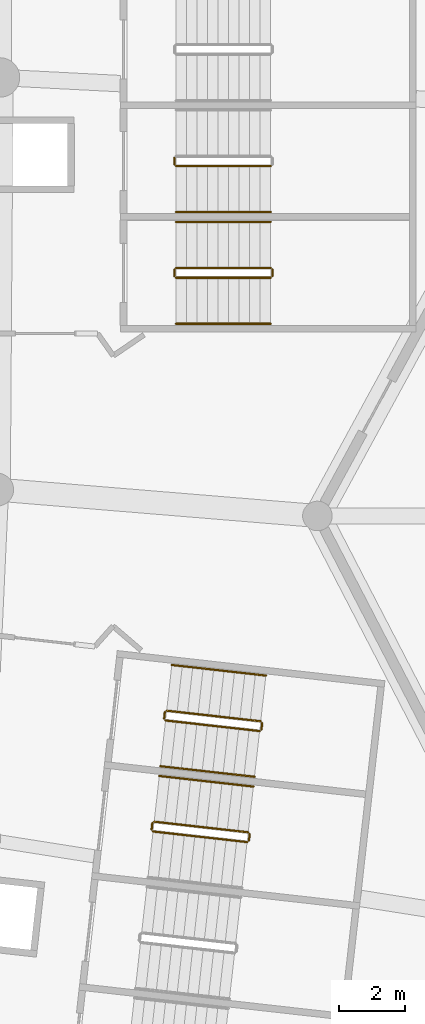
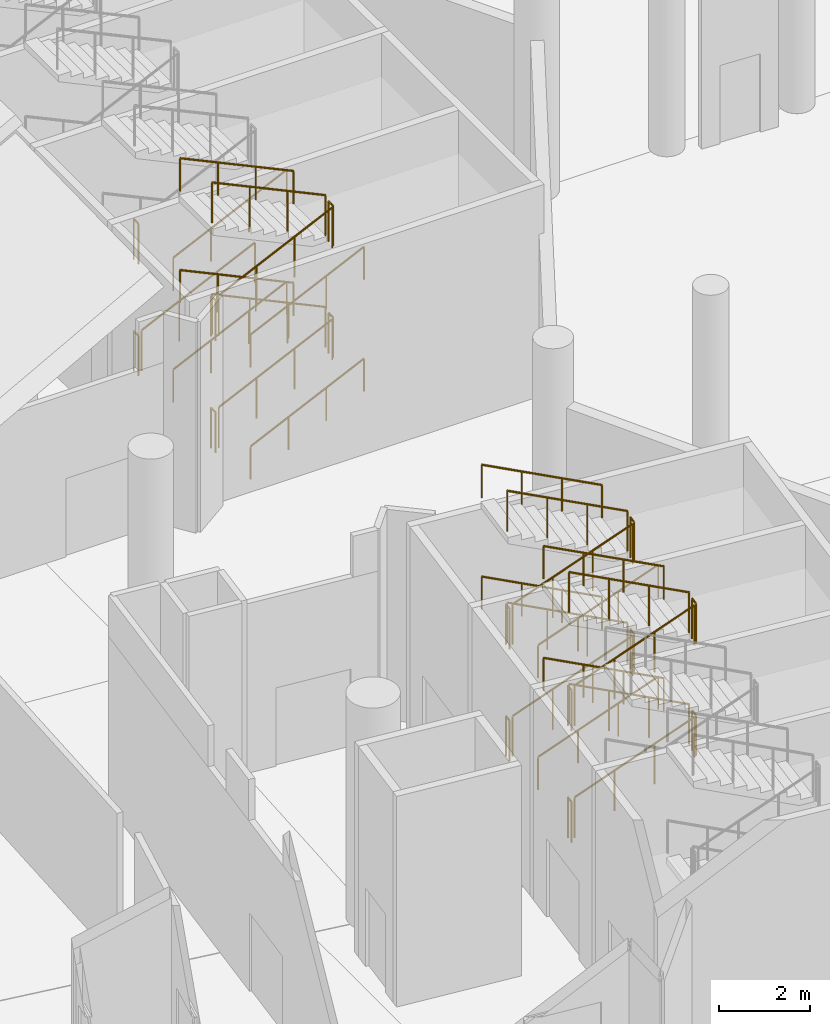
# One storey, part 225 of 249: 39 railings.
"""IFC4 building model written with IfcOpenShell, lengths in metres."""

from ifc_helpers import new_model, si_unit, direction, frame, origin, origin_2d, place, context, subcontext, project, spatial, circle, extrude, material, type_object, element, save


model = new_model("IFC4")

# Units and contexts
model_context = context("Model", 3, precision=1e-05, world=origin(), true_north=direction((0.0, 1.0)))
body_context = subcontext(model_context, "Body", "Model", "MODEL_VIEW")
ifc_project = project(units=[si_unit("LENGTHUNIT", "METRE"), si_unit("AREAUNIT", "SQUARE_METRE"), si_unit("VOLUMEUNIT", "CUBIC_METRE"), si_unit("PLANEANGLEUNIT", "RADIAN"), si_unit("MASSUNIT", "GRAM", prefix="KILO")], contexts=[model_context])

# Site, building, storey
site_placement = place(None, origin())
site = spatial("IfcSite", under=ifc_project, at=site_placement, CompositionType="ELEMENT")
building_placement = place(site_placement, origin())
building = spatial("IfcBuilding", under=site, at=building_placement, Name="Meseta Stadium", CompositionType="ELEMENT")
storey_placement = place(building_placement, frame((0.0, 0.0, 12.0)))
storey = spatial("IfcBuildingStorey", under=building, at=storey_placement, Name="L02", CompositionType="ELEMENT", Elevation=12.0)

# Railings
ifc_material_1 = material(Name="Steel S355", Category="steel")
railing_type_1 = type_object("IfcRailingType", Name="Stair guard 1100", PredefinedType="GUARDRAIL", material=ifc_material_1)
railing_1_placement = place(storey_placement, frame((89.598876953125, -53.3525390625, 0.14990234375)))
element("IfcRailing", 1, at=railing_1_placement, inside=storey, type_object=railing_type_1, Name="ST3 L02 guard 1", PredefinedType="GUARDRAIL", context=body_context, shape_type="SweptSolid", body=[
    extrude(circle(Radius=0.02392578125, at=origin_2d()), frame((0.0, 0.0, 1.076171875), z_axis=(0.899747905232, -0.10139626197, 0.424467319223), x_axis=(0.111985219376, 0.993709872468, 0.0)), (0.0, 0.0, 1.0), 3.1806640625),
    extrude(circle(Radius=0.02099609375, at=origin_2d()), origin(), (0.0, 0.0, 1.0), 1.052001953125),
    extrude(circle(Radius=0.02099609375, at=origin_2d()), frame((0.953857421875, -0.107421875, 0.449951171875)), (0.0, 0.0, 1.0), 1.052001953125),
    extrude(circle(Radius=0.02099609375, at=origin_2d()), frame((1.907958984375, -0.215087890625, 0.900146484375)), (0.0, 0.0, 1.0), 1.052001953125),
    extrude(circle(Radius=0.02099609375, at=origin_2d()), frame((2.86181640625, -0.322509765625, 1.35009765625)), (0.0, 0.0, 1.0), 1.052001953125),
])
railing_2_placement = place(storey_placement, frame((92.515869140625, -53.630859375, 1.5)))
element("IfcRailing", 2, at=railing_2_placement, inside=storey, type_object=railing_type_1, Name="ST3 L02 guard 2", PredefinedType="GUARDRAIL", context=body_context, shape_type="SweptSolid", body=[
    extrude(circle(Radius=0.02392578125, at=origin_2d()), frame((0.0, 0.0, 1.076171875), z_axis=(0.112307083986, 0.993673547442, 0.0), x_axis=(-0.993673547442, 0.112307083986, 0.0)), (0.0, 0.0, 1.0), 0.199951171875),
    extrude(circle(Radius=0.02099609375, at=origin_2d()), origin(), (0.0, 0.0, 1.0), 1.052001953125),
    extrude(circle(Radius=0.02099609375, at=origin_2d()), frame((0.0224609375, 0.19873046875, 0.0)), (0.0, 0.0, 1.0), 1.052001953125),
])
railing_3_placement = place(storey_placement, frame((92.494140625, -53.376953125, 1.64990234375)))
element("IfcRailing", 3, at=railing_3_placement, inside=storey, type_object=railing_type_1, Name="ST3 L02 guard 3", PredefinedType="GUARDRAIL", context=body_context, shape_type="SweptSolid", body=[
    extrude(circle(Radius=0.02392578125, at=origin_2d()), frame((0.0, 0.0, 1.076171875), z_axis=(-0.899747905232, 0.10139626197, 0.424467319223), x_axis=(-0.111985219376, -0.993709872468, 0.0)), (0.0, 0.0, 1.0), 3.1806640625),
    extrude(circle(Radius=0.02099609375, at=origin_2d()), origin(), (0.0, 0.0, 1.0), 1.052001953125),
    extrude(circle(Radius=0.02099609375, at=origin_2d()), frame((-0.953857421875, 0.107421875, 0.449951171875)), (0.0, 0.0, 1.0), 1.052001953125),
    extrude(circle(Radius=0.02099609375, at=origin_2d()), frame((-1.907958984375, 0.215087890625, 0.900146484375)), (0.0, 0.0, 1.0), 1.052001953125),
    extrude(circle(Radius=0.02099609375, at=origin_2d()), frame((-2.86181640625, 0.322509765625, 1.35009765625)), (0.0, 0.0, 1.0), 1.052001953125),
])
railing_4_placement = place(storey_placement, frame((89.5546875, -53.29736328125, 3.0)))
element("IfcRailing", 4, at=railing_4_placement, inside=storey, type_object=railing_type_1, Name="ST3 L02 guard 4", PredefinedType="GUARDRAIL", context=body_context, shape_type="SweptSolid", body=[
    extrude(circle(Radius=0.02392578125, at=origin_2d()), frame((0.0, 0.0, 1.076171875), z_axis=(0.112307083986, 0.993673547442, 0.0), x_axis=(-0.993673547442, 0.112307083986, 0.0)), (0.0, 0.0, 1.0), 0.199951171875),
    extrude(circle(Radius=0.02099609375, at=origin_2d()), origin(), (0.0, 0.0, 1.0), 1.052001953125),
    extrude(circle(Radius=0.02099609375, at=origin_2d()), frame((0.0224609375, 0.19873046875, 0.0)), (0.0, 0.0, 1.0), 1.052001953125),
])
railing_5_placement = place(storey_placement, frame((89.598876953125, -53.3525390625, 3.14990234375)))
element("IfcRailing", 5, at=railing_5_placement, inside=storey, type_object=railing_type_1, Name="ST3 L02 guard 5", PredefinedType="GUARDRAIL", context=body_context, shape_type="SweptSolid", body=[
    extrude(circle(Radius=0.02392578125, at=origin_2d()), frame((0.0, 0.0, 1.076171875), z_axis=(0.899747905232, -0.10139626197, 0.424467319223), x_axis=(0.111985219376, 0.993709872468, 0.0)), (0.0, 0.0, 1.0), 3.1806640625),
    extrude(circle(Radius=0.02099609375, at=origin_2d()), origin(), (0.0, 0.0, 1.0), 1.052001953125),
    extrude(circle(Radius=0.02099609375, at=origin_2d()), frame((0.953857421875, -0.107421875, 0.449951171875)), (0.0, 0.0, 1.0), 1.052001953125),
    extrude(circle(Radius=0.02099609375, at=origin_2d()), frame((1.907958984375, -0.215087890625, 0.900146484375)), (0.0, 0.0, 1.0), 1.052001953125),
    extrude(circle(Radius=0.02099609375, at=origin_2d()), frame((2.86181640625, -0.322509765625, 1.35009765625)), (0.0, 0.0, 1.0), 1.052001953125),
])
railing_6_placement = place(storey_placement, frame((92.515869140625, -53.630859375, 4.5)))
element("IfcRailing", 6, at=railing_6_placement, inside=storey, type_object=railing_type_1, Name="ST3 L02 guard 6", PredefinedType="GUARDRAIL", context=body_context, shape_type="SweptSolid", body=[
    extrude(circle(Radius=0.02392578125, at=origin_2d()), frame((0.0, 0.0, 1.076171875), z_axis=(0.112307083986, 0.993673547442, 0.0), x_axis=(-0.993673547442, 0.112307083986, 0.0)), (0.0, 0.0, 1.0), 0.199951171875),
    extrude(circle(Radius=0.02099609375, at=origin_2d()), origin(), (0.0, 0.0, 1.0), 1.052001953125),
    extrude(circle(Radius=0.02099609375, at=origin_2d()), frame((0.0224609375, 0.19873046875, 0.0)), (0.0, 0.0, 1.0), 1.052001953125),
])
railing_7_placement = place(storey_placement, frame((92.494140625, -53.376953125, 4.64990234375)))
element("IfcRailing", 7, at=railing_7_placement, inside=storey, type_object=railing_type_1, Name="ST3 L02 guard 7", PredefinedType="GUARDRAIL", context=body_context, shape_type="SweptSolid", body=[
    extrude(circle(Radius=0.02392578125, at=origin_2d()), frame((0.0, 0.0, 1.076171875), z_axis=(-0.899747905232, 0.10139626197, 0.424467319223), x_axis=(-0.111985219376, -0.993709872468, 0.0)), (0.0, 0.0, 1.0), 3.1806640625),
    extrude(circle(Radius=0.02099609375, at=origin_2d()), origin(), (0.0, 0.0, 1.0), 1.052001953125),
    extrude(circle(Radius=0.02099609375, at=origin_2d()), frame((-0.953857421875, 0.107421875, 0.449951171875)), (0.0, 0.0, 1.0), 1.052001953125),
    extrude(circle(Radius=0.02099609375, at=origin_2d()), frame((-1.907958984375, 0.215087890625, 0.900146484375)), (0.0, 0.0, 1.0), 1.052001953125),
    extrude(circle(Radius=0.02099609375, at=origin_2d()), frame((-2.86181640625, 0.322509765625, 1.35009765625)), (0.0, 0.0, 1.0), 1.052001953125),
])
railing_8_placement = place(storey_placement, frame((89.5546875, -53.29736328125, 0.0)))
element("IfcRailing", 8, at=railing_8_placement, inside=storey, type_object=railing_type_1, Name="ST3 L02 guard 8", PredefinedType="GUARDRAIL", context=body_context, shape_type="SweptSolid", body=[
    extrude(circle(Radius=0.02392578125, at=origin_2d()), frame((0.0, 0.0, 1.076171875), z_axis=(0.112307083986, 0.993673547442, 0.0), x_axis=(-0.993673547442, 0.112307083986, 0.0)), (0.0, 0.0, 1.0), 0.199951171875),
    extrude(circle(Radius=0.02099609375, at=origin_2d()), origin(), (0.0, 0.0, 1.0), 1.052001953125),
    extrude(circle(Radius=0.02099609375, at=origin_2d()), frame((0.0224609375, 0.19873046875, 0.0)), (0.0, 0.0, 1.0), 1.052001953125),
])
railing_9_placement = place(storey_placement, frame((89.9794921875, -49.973876953125, 0.14990234375)))
element("IfcRailing", 9, at=railing_9_placement, inside=storey, type_object=railing_type_1, Name="ST4 L02 guard 1", PredefinedType="GUARDRAIL", context=body_context, shape_type="SweptSolid", body=[
    extrude(circle(Radius=0.02392578125, at=origin_2d()), frame((0.0, 0.0, 1.076171875), z_axis=(0.899747905232, -0.10139626197, 0.424467319223), x_axis=(0.111985219376, 0.993709872468, 0.0)), (0.0, 0.0, 1.0), 3.1806640625),
    extrude(circle(Radius=0.02099609375, at=origin_2d()), origin(), (0.0, 0.0, 1.0), 1.052001953125),
    extrude(circle(Radius=0.02099609375, at=origin_2d()), frame((0.953857421875, -0.107421875, 0.449951171875)), (0.0, 0.0, 1.0), 1.052001953125),
    extrude(circle(Radius=0.02099609375, at=origin_2d()), frame((1.907958984375, -0.215087890625, 0.900146484375)), (0.0, 0.0, 1.0), 1.052001953125),
    extrude(circle(Radius=0.02099609375, at=origin_2d()), frame((2.86181640625, -0.322509765625, 1.35009765625)), (0.0, 0.0, 1.0), 1.052001953125),
])
railing_10_placement = place(storey_placement, frame((92.896728515625, -50.25244140625, 1.5)))
element("IfcRailing", 10, at=railing_10_placement, inside=storey, type_object=railing_type_1, Name="ST4 L02 guard 2", PredefinedType="GUARDRAIL", context=body_context, shape_type="SweptSolid", body=[
    extrude(circle(Radius=0.02392578125, at=origin_2d()), frame((0.0, 0.0, 1.076171875), z_axis=(0.111101504696, 0.993809063983, 0.0), x_axis=(-0.993809063983, 0.111101504696, 0.0)), (0.0, 0.0, 1.0), 0.199951171875),
    extrude(circle(Radius=0.02099609375, at=origin_2d()), origin(), (0.0, 0.0, 1.0), 1.052001953125),
    extrude(circle(Radius=0.02099609375, at=origin_2d()), frame((0.022216796875, 0.19873046875, 0.0)), (0.0, 0.0, 1.0), 1.052001953125),
])
railing_11_placement = place(storey_placement, frame((92.875, -49.998291015625, 1.64990234375)))
element("IfcRailing", 11, at=railing_11_placement, inside=storey, type_object=railing_type_1, Name="ST4 L02 guard 3", PredefinedType="GUARDRAIL", context=body_context, shape_type="SweptSolid", body=[
    extrude(circle(Radius=0.02392578125, at=origin_2d()), frame((0.0, 0.0, 1.076171875), z_axis=(-0.899762522411, 0.101389259755, 0.424438006392), x_axis=(-0.11197578655, -0.993710935447, 0.0)), (0.0, 0.0, 1.0), 3.180908203125),
    extrude(circle(Radius=0.02099609375, at=origin_2d()), origin(), (0.0, 0.0, 1.0), 1.052001953125),
    extrude(circle(Radius=0.02099609375, at=origin_2d()), frame((-0.9541015625, 0.107421875, 0.449951171875)), (0.0, 0.0, 1.0), 1.052001953125),
    extrude(circle(Radius=0.02099609375, at=origin_2d()), frame((-1.907958984375, 0.215087890625, 0.900146484375)), (0.0, 0.0, 1.0), 1.052001953125),
    extrude(circle(Radius=0.02099609375, at=origin_2d()), frame((-2.862060546875, 0.322509765625, 1.35009765625)), (0.0, 0.0, 1.0), 1.052001953125),
])
railing_12_placement = place(storey_placement, frame((89.935302734375, -49.918701171875, 3.0)))
element("IfcRailing", 12, at=railing_12_placement, inside=storey, type_object=railing_type_1, Name="ST4 L02 guard 4", PredefinedType="GUARDRAIL", context=body_context, shape_type="SweptSolid", body=[
    extrude(circle(Radius=0.02392578125, at=origin_2d()), frame((0.0, 0.0, 1.076171875), z_axis=(0.112307083986, 0.993673547442, 0.0), x_axis=(-0.993673547442, 0.112307083986, 0.0)), (0.0, 0.0, 1.0), 0.199951171875),
    extrude(circle(Radius=0.02099609375, at=origin_2d()), origin(), (0.0, 0.0, 1.0), 1.052001953125),
    extrude(circle(Radius=0.02099609375, at=origin_2d()), frame((0.0224609375, 0.19873046875, 0.0)), (0.0, 0.0, 1.0), 1.052001953125),
])
railing_13_placement = place(storey_placement, frame((89.9794921875, -49.973876953125, 3.14990234375)))
element("IfcRailing", 13, at=railing_13_placement, inside=storey, type_object=railing_type_1, Name="ST4 L02 guard 5", PredefinedType="GUARDRAIL", context=body_context, shape_type="SweptSolid", body=[
    extrude(circle(Radius=0.02392578125, at=origin_2d()), frame((0.0, 0.0, 1.076171875), z_axis=(0.899747905232, -0.10139626197, 0.424467319223), x_axis=(0.111985219376, 0.993709872468, 0.0)), (0.0, 0.0, 1.0), 3.1806640625),
    extrude(circle(Radius=0.02099609375, at=origin_2d()), origin(), (0.0, 0.0, 1.0), 1.052001953125),
    extrude(circle(Radius=0.02099609375, at=origin_2d()), frame((0.953857421875, -0.107421875, 0.449951171875)), (0.0, 0.0, 1.0), 1.052001953125),
    extrude(circle(Radius=0.02099609375, at=origin_2d()), frame((1.907958984375, -0.215087890625, 0.900146484375)), (0.0, 0.0, 1.0), 1.052001953125),
    extrude(circle(Radius=0.02099609375, at=origin_2d()), frame((2.86181640625, -0.322509765625, 1.35009765625)), (0.0, 0.0, 1.0), 1.052001953125),
])
railing_14_placement = place(storey_placement, frame((92.896728515625, -50.25244140625, 4.5)))
element("IfcRailing", 14, at=railing_14_placement, inside=storey, type_object=railing_type_1, Name="ST4 L02 guard 6", PredefinedType="GUARDRAIL", context=body_context, shape_type="SweptSolid", body=[
    extrude(circle(Radius=0.02392578125, at=origin_2d()), frame((0.0, 0.0, 1.076171875), z_axis=(0.111101504696, 0.993809063983, 0.0), x_axis=(-0.993809063983, 0.111101504696, 0.0)), (0.0, 0.0, 1.0), 0.199951171875),
    extrude(circle(Radius=0.02099609375, at=origin_2d()), origin(), (0.0, 0.0, 1.0), 1.052001953125),
    extrude(circle(Radius=0.02099609375, at=origin_2d()), frame((0.022216796875, 0.19873046875, 0.0)), (0.0, 0.0, 1.0), 1.052001953125),
])
railing_15_placement = place(storey_placement, frame((92.875, -49.998291015625, 4.64990234375)))
element("IfcRailing", 15, at=railing_15_placement, inside=storey, type_object=railing_type_1, Name="ST4 L02 guard 7", PredefinedType="GUARDRAIL", context=body_context, shape_type="SweptSolid", body=[
    extrude(circle(Radius=0.02392578125, at=origin_2d()), frame((0.0, 0.0, 1.076171875), z_axis=(-0.899762522411, 0.101389259755, 0.424438006392), x_axis=(-0.11197578655, -0.993710935447, 0.0)), (0.0, 0.0, 1.0), 3.180908203125),
    extrude(circle(Radius=0.02099609375, at=origin_2d()), origin(), (0.0, 0.0, 1.0), 1.052001953125),
    extrude(circle(Radius=0.02099609375, at=origin_2d()), frame((-0.9541015625, 0.107421875, 0.449951171875)), (0.0, 0.0, 1.0), 1.052001953125),
    extrude(circle(Radius=0.02099609375, at=origin_2d()), frame((-1.907958984375, 0.215087890625, 0.900146484375)), (0.0, 0.0, 1.0), 1.052001953125),
    extrude(circle(Radius=0.02099609375, at=origin_2d()), frame((-2.862060546875, 0.322509765625, 1.35009765625)), (0.0, 0.0, 1.0), 1.052001953125),
])
railing_16_placement = place(storey_placement, frame((89.935302734375, -49.918701171875, 0.0)))
element("IfcRailing", 16, at=railing_16_placement, inside=storey, type_object=railing_type_1, Name="ST4 L02 guard 8", PredefinedType="GUARDRAIL", context=body_context, shape_type="SweptSolid", body=[
    extrude(circle(Radius=0.02392578125, at=origin_2d()), frame((0.0, 0.0, 1.076171875), z_axis=(0.112307083986, 0.993673547442, 0.0), x_axis=(-0.993673547442, 0.112307083986, 0.0)), (0.0, 0.0, 1.0), 0.199951171875),
    extrude(circle(Radius=0.02099609375, at=origin_2d()), origin(), (0.0, 0.0, 1.0), 1.052001953125),
    extrude(circle(Radius=0.02099609375, at=origin_2d()), frame((0.0224609375, 0.19873046875, 0.0)), (0.0, 0.0, 1.0), 1.052001953125),
])
railing_17_placement = place(storey_placement, frame((90.300048828125, -36.5, 0.14990234375)))
element("IfcRailing", 17, at=railing_17_placement, inside=storey, type_object=railing_type_1, Name="ST5 L02 guard 1", PredefinedType="GUARDRAIL", context=body_context, shape_type="SweptSolid", body=[
    extrude(circle(Radius=0.02392578125, at=origin_2d()), frame((0.0, 0.0, 1.076171875), z_axis=(0.905440498372, 0.0, 0.424473207528), x_axis=(0.0, 1.0, 0.0)), (0.0, 0.0, 1.0), 3.1806640625),
    extrude(circle(Radius=0.02099609375, at=origin_2d()), origin(), (0.0, 0.0, 1.0), 1.052001953125),
    extrude(circle(Radius=0.02099609375, at=origin_2d()), frame((0.9599609375, 0.0, 0.449951171875)), (0.0, 0.0, 1.0), 1.052001953125),
    extrude(circle(Radius=0.02099609375, at=origin_2d()), frame((1.919921875, 0.0, 0.900146484375)), (0.0, 0.0, 1.0), 1.052001953125),
    extrude(circle(Radius=0.02099609375, at=origin_2d()), frame((2.8798828125, 0.0, 1.35009765625)), (0.0, 0.0, 1.0), 1.052001953125),
])
railing_18_placement = place(storey_placement, frame((93.22998046875, -36.449951171875, 1.5)))
element("IfcRailing", 18, at=railing_18_placement, inside=storey, type_object=railing_type_1, Name="ST5 L02 guard 2", PredefinedType="GUARDRAIL", context=body_context, shape_type="SweptSolid", body=[
    extrude(circle(Radius=0.02392578125, at=origin_2d()), frame((0.0, 0.0, 1.076171875), z_axis=(0.0, 1.0, 0.0), x_axis=(-1.0, 0.0, 0.0)), (0.0, 0.0, 1.0), 0.199951171875),
    extrude(circle(Radius=0.02099609375, at=origin_2d()), origin(), (0.0, 0.0, 1.0), 1.052001953125),
    extrude(circle(Radius=0.02099609375, at=origin_2d()), frame((0.0, 0.199951171875, 0.0)), (0.0, 0.0, 1.0), 1.052001953125),
])
railing_19_placement = place(storey_placement, frame((93.179931640625, -36.199951171875, 1.64990234375)))
element("IfcRailing", 19, at=railing_19_placement, inside=storey, type_object=railing_type_1, Name="ST5 L02 guard 3", PredefinedType="GUARDRAIL", context=body_context, shape_type="SweptSolid", body=[
    extrude(circle(Radius=0.02392578125, at=origin_2d()), frame((0.0, 0.0, 1.076171875), z_axis=(-0.905440498372, 0.0, 0.424473207528), x_axis=(0.0, -1.0, 0.0)), (0.0, 0.0, 1.0), 3.1806640625),
    extrude(circle(Radius=0.02099609375, at=origin_2d()), origin(), (0.0, 0.0, 1.0), 1.052001953125),
    extrude(circle(Radius=0.02099609375, at=origin_2d()), frame((-0.9599609375, 0.0, 0.449951171875)), (0.0, 0.0, 1.0), 1.052001953125),
    extrude(circle(Radius=0.02099609375, at=origin_2d()), frame((-1.919921875, 0.0, 0.900146484375)), (0.0, 0.0, 1.0), 1.052001953125),
    extrude(circle(Radius=0.02099609375, at=origin_2d()), frame((-2.8798828125, 0.0, 1.35009765625)), (0.0, 0.0, 1.0), 1.052001953125),
])
railing_20_placement = place(storey_placement, frame((90.25, -36.449951171875, 3.0)))
element("IfcRailing", 20, at=railing_20_placement, inside=storey, type_object=railing_type_1, Name="ST5 L02 guard 4", PredefinedType="GUARDRAIL", context=body_context, shape_type="SweptSolid", body=[
    extrude(circle(Radius=0.02392578125, at=origin_2d()), frame((0.0, 0.0, 1.076171875), z_axis=(0.0, 1.0, 0.0), x_axis=(-1.0, 0.0, 0.0)), (0.0, 0.0, 1.0), 0.199951171875),
    extrude(circle(Radius=0.02099609375, at=origin_2d()), origin(), (0.0, 0.0, 1.0), 1.052001953125),
    extrude(circle(Radius=0.02099609375, at=origin_2d()), frame((0.0, 0.199951171875, 0.0)), (0.0, 0.0, 1.0), 1.052001953125),
])
railing_21_placement = place(storey_placement, frame((90.300048828125, -36.5, 3.14990234375)))
element("IfcRailing", 21, at=railing_21_placement, inside=storey, type_object=railing_type_1, Name="ST5 L02 guard 5", PredefinedType="GUARDRAIL", context=body_context, shape_type="SweptSolid", body=[
    extrude(circle(Radius=0.02392578125, at=origin_2d()), frame((0.0, 0.0, 1.076171875), z_axis=(0.905440498372, 0.0, 0.424473207528), x_axis=(0.0, 1.0, 0.0)), (0.0, 0.0, 1.0), 3.1806640625),
    extrude(circle(Radius=0.02099609375, at=origin_2d()), origin(), (0.0, 0.0, 1.0), 1.052001953125),
    extrude(circle(Radius=0.02099609375, at=origin_2d()), frame((0.9599609375, 0.0, 0.449951171875)), (0.0, 0.0, 1.0), 1.052001953125),
    extrude(circle(Radius=0.02099609375, at=origin_2d()), frame((1.919921875, 0.0, 0.900146484375)), (0.0, 0.0, 1.0), 1.052001953125),
    extrude(circle(Radius=0.02099609375, at=origin_2d()), frame((2.8798828125, 0.0, 1.35009765625)), (0.0, 0.0, 1.0), 1.052001953125),
])
railing_22_placement = place(storey_placement, frame((93.22998046875, -36.449951171875, 4.5)))
element("IfcRailing", 22, at=railing_22_placement, inside=storey, type_object=railing_type_1, Name="ST5 L02 guard 6", PredefinedType="GUARDRAIL", context=body_context, shape_type="SweptSolid", body=[
    extrude(circle(Radius=0.02392578125, at=origin_2d()), frame((0.0, 0.0, 1.076171875), z_axis=(0.0, 1.0, 0.0), x_axis=(-1.0, 0.0, 0.0)), (0.0, 0.0, 1.0), 0.199951171875),
    extrude(circle(Radius=0.02099609375, at=origin_2d()), origin(), (0.0, 0.0, 1.0), 1.052001953125),
    extrude(circle(Radius=0.02099609375, at=origin_2d()), frame((0.0, 0.199951171875, 0.0)), (0.0, 0.0, 1.0), 1.052001953125),
])
railing_23_placement = place(storey_placement, frame((93.179931640625, -36.199951171875, 4.64990234375)))
element("IfcRailing", 23, at=railing_23_placement, inside=storey, type_object=railing_type_1, Name="ST5 L02 guard 7", PredefinedType="GUARDRAIL", context=body_context, shape_type="SweptSolid", body=[
    extrude(circle(Radius=0.02392578125, at=origin_2d()), frame((0.0, 0.0, 1.076171875), z_axis=(-0.905440498372, 0.0, 0.424473207528), x_axis=(0.0, -1.0, 0.0)), (0.0, 0.0, 1.0), 3.1806640625),
    extrude(circle(Radius=0.02099609375, at=origin_2d()), origin(), (0.0, 0.0, 1.0), 1.052001953125),
    extrude(circle(Radius=0.02099609375, at=origin_2d()), frame((-0.9599609375, 0.0, 0.449951171875)), (0.0, 0.0, 1.0), 1.052001953125),
    extrude(circle(Radius=0.02099609375, at=origin_2d()), frame((-1.919921875, 0.0, 0.900146484375)), (0.0, 0.0, 1.0), 1.052001953125),
    extrude(circle(Radius=0.02099609375, at=origin_2d()), frame((-2.8798828125, 0.0, 1.35009765625)), (0.0, 0.0, 1.0), 1.052001953125),
])
railing_24_placement = place(storey_placement, frame((90.25, -36.449951171875, 0.0)))
element("IfcRailing", 24, at=railing_24_placement, inside=storey, type_object=railing_type_1, Name="ST5 L02 guard 8", PredefinedType="GUARDRAIL", context=body_context, shape_type="SweptSolid", body=[
    extrude(circle(Radius=0.02392578125, at=origin_2d()), frame((0.0, 0.0, 1.076171875), z_axis=(0.0, 1.0, 0.0), x_axis=(-1.0, 0.0, 0.0)), (0.0, 0.0, 1.0), 0.199951171875),
    extrude(circle(Radius=0.02099609375, at=origin_2d()), origin(), (0.0, 0.0, 1.0), 1.052001953125),
    extrude(circle(Radius=0.02099609375, at=origin_2d()), frame((0.0, 0.199951171875, 0.0)), (0.0, 0.0, 1.0), 1.052001953125),
])
railing_25_placement = place(storey_placement, frame((90.300048828125, -33.10009765625, 0.14990234375)))
element("IfcRailing", 25, at=railing_25_placement, inside=storey, type_object=railing_type_1, Name="ST6 L02 guard 1", PredefinedType="GUARDRAIL", context=body_context, shape_type="SweptSolid", body=[
    extrude(circle(Radius=0.02392578125, at=origin_2d()), frame((0.0, 0.0, 1.076171875), z_axis=(0.905440498372, 0.0, 0.424473207528), x_axis=(0.0, 1.0, 0.0)), (0.0, 0.0, 1.0), 3.1806640625),
    extrude(circle(Radius=0.02099609375, at=origin_2d()), origin(), (0.0, 0.0, 1.0), 1.052001953125),
    extrude(circle(Radius=0.02099609375, at=origin_2d()), frame((0.9599609375, 0.0, 0.449951171875)), (0.0, 0.0, 1.0), 1.052001953125),
    extrude(circle(Radius=0.02099609375, at=origin_2d()), frame((1.919921875, 0.0, 0.900146484375)), (0.0, 0.0, 1.0), 1.052001953125),
    extrude(circle(Radius=0.02099609375, at=origin_2d()), frame((2.8798828125, 0.0, 1.35009765625)), (0.0, 0.0, 1.0), 1.052001953125),
])
for number, where, name in (
    (26, (90.25, -33.050048828125, 3.0), "ST6 L02 guard 4"),
    (27, (90.25, -33.050048828125, 0.0), "ST6 L02 guard 8"),
):
    element("IfcRailing", number, at=place(storey_placement, frame(where)), inside=storey, type_object=railing_type_1, Name=name, PredefinedType="GUARDRAIL", context=body_context, shape_type="SweptSolid", body=[
        extrude(circle(Radius=0.02392578125, at=origin_2d()), frame((0.0, 0.0, 1.076171875), z_axis=(0.0, 1.0, 0.0), x_axis=(-1.0, 0.0, 0.0)), (0.0, 0.0, 1.0), 0.199951171875),
        extrude(circle(Radius=0.02099609375, at=origin_2d()), origin(), (0.0, 0.0, 1.0), 1.052001953125),
        extrude(circle(Radius=0.02099609375, at=origin_2d()), frame((0.0, 0.199951171875, 0.0)), (0.0, 0.0, 1.0), 1.052001953125),
    ])
ifc_material_2 = material(Name="Steel S355", Category="steel")
railing_type_2 = type_object("IfcRailingType", Name="Stair handrail 900", PredefinedType="HANDRAIL", material=ifc_material_2)
for number, where, name in (
    (28, (92.65087890625, -51.98583984375, 1.64990234375), "ST3 L02 handrail 2"),
    (29, (92.65087890625, -51.98583984375, 4.64990234375), "ST3 L02 handrail 4"),
):
    element("IfcRailing", number, at=place(storey_placement, frame(where)), inside=storey, type_object=railing_type_2, Name=name, PredefinedType="HANDRAIL", context=body_context, shape_type="SweptSolid", body=[
        extrude(circle(Radius=0.02392578125, at=origin_2d()), frame((0.0, 0.0, 0.8759765625), z_axis=(-0.899747905232, 0.10139626197, 0.424467319223), x_axis=(-0.111985219376, -0.993709872468, 0.0)), (0.0, 0.0, 1.0), 3.1806640625),
        extrude(circle(Radius=0.02099609375, at=origin_2d()), origin(), (0.0, 0.0, 1.0), 0.851806640625),
        extrude(circle(Radius=0.02099609375, at=origin_2d()), frame((-0.953857421875, 0.107421875, 0.449951171875)), (0.0, 0.0, 1.0), 0.851806640625),
        extrude(circle(Radius=0.02099609375, at=origin_2d()), frame((-1.907958984375, 0.215087890625, 0.900146484375)), (0.0, 0.0, 1.0), 0.851806640625),
        extrude(circle(Radius=0.02099609375, at=origin_2d()), frame((-2.86181640625, 0.322509765625, 1.35009765625)), (0.0, 0.0, 1.0), 0.851806640625),
    ])
railing_26_placement = place(storey_placement, frame((89.82275390625, -51.365234375, 0.14990234375)))
element("IfcRailing", 30, at=railing_26_placement, inside=storey, type_object=railing_type_2, Name="ST4 L02 handrail 1", PredefinedType="HANDRAIL", context=body_context, shape_type="SweptSolid", body=[
    extrude(circle(Radius=0.02392578125, at=origin_2d()), frame((0.0, 0.0, 0.8759765625), z_axis=(0.899747905232, -0.10139626197, 0.424467319223), x_axis=(0.111985219376, 0.993709872468, 0.0)), (0.0, 0.0, 1.0), 3.1806640625),
    extrude(circle(Radius=0.02099609375, at=origin_2d()), origin(), (0.0, 0.0, 1.0), 0.851806640625),
    extrude(circle(Radius=0.02099609375, at=origin_2d()), frame((0.953857421875, -0.107421875, 0.449951171875)), (0.0, 0.0, 1.0), 0.851806640625),
    extrude(circle(Radius=0.02099609375, at=origin_2d()), frame((1.907958984375, -0.215087890625, 0.900146484375)), (0.0, 0.0, 1.0), 0.851806640625),
    extrude(circle(Radius=0.02099609375, at=origin_2d()), frame((2.86181640625, -0.322509765625, 1.35009765625)), (0.0, 0.0, 1.0), 0.851806640625),
])
railing_27_placement = place(storey_placement, frame((93.03173828125, -48.607177734375, 1.64990234375)))
element("IfcRailing", 31, at=railing_27_placement, inside=storey, type_object=railing_type_2, Name="ST4 L02 handrail 2", PredefinedType="HANDRAIL", context=body_context, shape_type="SweptSolid", body=[
    extrude(circle(Radius=0.02392578125, at=origin_2d()), frame((0.0, 0.0, 0.8759765625), z_axis=(-0.899762522411, 0.101389259755, 0.424438006392), x_axis=(-0.11197578655, -0.993710935447, 0.0)), (0.0, 0.0, 1.0), 3.180908203125),
    extrude(circle(Radius=0.02099609375, at=origin_2d()), origin(), (0.0, 0.0, 1.0), 0.851806640625),
    extrude(circle(Radius=0.02099609375, at=origin_2d()), frame((-0.9541015625, 0.107421875, 0.449951171875)), (0.0, 0.0, 1.0), 0.851806640625),
    extrude(circle(Radius=0.02099609375, at=origin_2d()), frame((-1.907958984375, 0.215087890625, 0.900146484375)), (0.0, 0.0, 1.0), 0.851806640625),
    extrude(circle(Radius=0.02099609375, at=origin_2d()), frame((-2.862060546875, 0.322509765625, 1.35009765625)), (0.0, 0.0, 1.0), 0.851806640625),
])
railing_28_placement = place(storey_placement, frame((89.82275390625, -51.365234375, 3.14990234375)))
element("IfcRailing", 32, at=railing_28_placement, inside=storey, type_object=railing_type_2, Name="ST4 L02 handrail 3", PredefinedType="HANDRAIL", context=body_context, shape_type="SweptSolid", body=[
    extrude(circle(Radius=0.02392578125, at=origin_2d()), frame((0.0, 0.0, 0.8759765625), z_axis=(0.899747905232, -0.10139626197, 0.424467319223), x_axis=(0.111985219376, 0.993709872468, 0.0)), (0.0, 0.0, 1.0), 3.1806640625),
    extrude(circle(Radius=0.02099609375, at=origin_2d()), origin(), (0.0, 0.0, 1.0), 0.851806640625),
    extrude(circle(Radius=0.02099609375, at=origin_2d()), frame((0.953857421875, -0.107421875, 0.449951171875)), (0.0, 0.0, 1.0), 0.851806640625),
    extrude(circle(Radius=0.02099609375, at=origin_2d()), frame((1.907958984375, -0.215087890625, 0.900146484375)), (0.0, 0.0, 1.0), 0.851806640625),
    extrude(circle(Radius=0.02099609375, at=origin_2d()), frame((2.86181640625, -0.322509765625, 1.35009765625)), (0.0, 0.0, 1.0), 0.851806640625),
])
railing_29_placement = place(storey_placement, frame((93.03173828125, -48.607177734375, 4.64990234375)))
element("IfcRailing", 33, at=railing_29_placement, inside=storey, type_object=railing_type_2, Name="ST4 L02 handrail 4", PredefinedType="HANDRAIL", context=body_context, shape_type="SweptSolid", body=[
    extrude(circle(Radius=0.02392578125, at=origin_2d()), frame((0.0, 0.0, 0.8759765625), z_axis=(-0.899762522411, 0.101389259755, 0.424438006392), x_axis=(-0.11197578655, -0.993710935447, 0.0)), (0.0, 0.0, 1.0), 3.180908203125),
    extrude(circle(Radius=0.02099609375, at=origin_2d()), origin(), (0.0, 0.0, 1.0), 0.851806640625),
    extrude(circle(Radius=0.02099609375, at=origin_2d()), frame((-0.9541015625, 0.107421875, 0.449951171875)), (0.0, 0.0, 1.0), 0.851806640625),
    extrude(circle(Radius=0.02099609375, at=origin_2d()), frame((-1.907958984375, 0.215087890625, 0.900146484375)), (0.0, 0.0, 1.0), 0.851806640625),
    extrude(circle(Radius=0.02099609375, at=origin_2d()), frame((-2.862060546875, 0.322509765625, 1.35009765625)), (0.0, 0.0, 1.0), 0.851806640625),
])
railing_30_placement = place(storey_placement, frame((90.300048828125, -37.89990234375, 0.14990234375)))
element("IfcRailing", 34, at=railing_30_placement, inside=storey, type_object=railing_type_2, Name="ST5 L02 handrail 1", PredefinedType="HANDRAIL", context=body_context, shape_type="SweptSolid", body=[
    extrude(circle(Radius=0.02392578125, at=origin_2d()), frame((0.0, 0.0, 0.8759765625), z_axis=(0.905440498372, 0.0, 0.424473207528), x_axis=(0.0, 1.0, 0.0)), (0.0, 0.0, 1.0), 3.1806640625),
    extrude(circle(Radius=0.02099609375, at=origin_2d()), origin(), (0.0, 0.0, 1.0), 0.851806640625),
    extrude(circle(Radius=0.02099609375, at=origin_2d()), frame((0.9599609375, 0.0, 0.449951171875)), (0.0, 0.0, 1.0), 0.851806640625),
    extrude(circle(Radius=0.02099609375, at=origin_2d()), frame((1.919921875, 0.0, 0.900146484375)), (0.0, 0.0, 1.0), 0.851806640625),
    extrude(circle(Radius=0.02099609375, at=origin_2d()), frame((2.8798828125, 0.0, 1.35009765625)), (0.0, 0.0, 1.0), 0.851806640625),
])
railing_31_placement = place(storey_placement, frame((93.179931640625, -34.800048828125, 1.64990234375)))
element("IfcRailing", 35, at=railing_31_placement, inside=storey, type_object=railing_type_2, Name="ST5 L02 handrail 2", PredefinedType="HANDRAIL", context=body_context, shape_type="SweptSolid", body=[
    extrude(circle(Radius=0.02392578125, at=origin_2d()), frame((0.0, 0.0, 0.8759765625), z_axis=(-0.905440498372, 0.0, 0.424473207528), x_axis=(0.0, -1.0, 0.0)), (0.0, 0.0, 1.0), 3.1806640625),
    extrude(circle(Radius=0.02099609375, at=origin_2d()), origin(), (0.0, 0.0, 1.0), 0.851806640625),
    extrude(circle(Radius=0.02099609375, at=origin_2d()), frame((-0.9599609375, 0.0, 0.449951171875)), (0.0, 0.0, 1.0), 0.851806640625),
    extrude(circle(Radius=0.02099609375, at=origin_2d()), frame((-1.919921875, 0.0, 0.900146484375)), (0.0, 0.0, 1.0), 0.851806640625),
    extrude(circle(Radius=0.02099609375, at=origin_2d()), frame((-2.8798828125, 0.0, 1.35009765625)), (0.0, 0.0, 1.0), 0.851806640625),
])
railing_32_placement = place(storey_placement, frame((90.300048828125, -37.89990234375, 3.14990234375)))
element("IfcRailing", 36, at=railing_32_placement, inside=storey, type_object=railing_type_2, Name="ST5 L02 handrail 3", PredefinedType="HANDRAIL", context=body_context, shape_type="SweptSolid", body=[
    extrude(circle(Radius=0.02392578125, at=origin_2d()), frame((0.0, 0.0, 0.8759765625), z_axis=(0.905440498372, 0.0, 0.424473207528), x_axis=(0.0, 1.0, 0.0)), (0.0, 0.0, 1.0), 3.1806640625),
    extrude(circle(Radius=0.02099609375, at=origin_2d()), origin(), (0.0, 0.0, 1.0), 0.851806640625),
    extrude(circle(Radius=0.02099609375, at=origin_2d()), frame((0.9599609375, 0.0, 0.449951171875)), (0.0, 0.0, 1.0), 0.851806640625),
    extrude(circle(Radius=0.02099609375, at=origin_2d()), frame((1.919921875, 0.0, 0.900146484375)), (0.0, 0.0, 1.0), 0.851806640625),
    extrude(circle(Radius=0.02099609375, at=origin_2d()), frame((2.8798828125, 0.0, 1.35009765625)), (0.0, 0.0, 1.0), 0.851806640625),
])
railing_33_placement = place(storey_placement, frame((93.179931640625, -34.800048828125, 4.64990234375)))
element("IfcRailing", 37, at=railing_33_placement, inside=storey, type_object=railing_type_2, Name="ST5 L02 handrail 4", PredefinedType="HANDRAIL", context=body_context, shape_type="SweptSolid", body=[
    extrude(circle(Radius=0.02392578125, at=origin_2d()), frame((0.0, 0.0, 0.8759765625), z_axis=(-0.905440498372, 0.0, 0.424473207528), x_axis=(0.0, -1.0, 0.0)), (0.0, 0.0, 1.0), 3.1806640625),
    extrude(circle(Radius=0.02099609375, at=origin_2d()), origin(), (0.0, 0.0, 1.0), 0.851806640625),
    extrude(circle(Radius=0.02099609375, at=origin_2d()), frame((-0.9599609375, 0.0, 0.449951171875)), (0.0, 0.0, 1.0), 0.851806640625),
    extrude(circle(Radius=0.02099609375, at=origin_2d()), frame((-1.919921875, 0.0, 0.900146484375)), (0.0, 0.0, 1.0), 0.851806640625),
    extrude(circle(Radius=0.02099609375, at=origin_2d()), frame((-2.8798828125, 0.0, 1.35009765625)), (0.0, 0.0, 1.0), 0.851806640625),
])
for number, where, name in (
    (38, (90.300048828125, -34.5, 0.14990234375), "ST6 L02 handrail 1"),
    (39, (90.300048828125, -34.5, 3.14990234375), "ST6 L02 handrail 3"),
):
    element("IfcRailing", number, at=place(storey_placement, frame(where)), inside=storey, type_object=railing_type_2, Name=name, PredefinedType="HANDRAIL", context=body_context, shape_type="SweptSolid", body=[
        extrude(circle(Radius=0.02392578125, at=origin_2d()), frame((0.0, 0.0, 0.8759765625), z_axis=(0.905440498372, 0.0, 0.424473207528), x_axis=(0.0, 1.0, 0.0)), (0.0, 0.0, 1.0), 3.1806640625),
        extrude(circle(Radius=0.02099609375, at=origin_2d()), origin(), (0.0, 0.0, 1.0), 0.851806640625),
        extrude(circle(Radius=0.02099609375, at=origin_2d()), frame((0.9599609375, 0.0, 0.449951171875)), (0.0, 0.0, 1.0), 0.851806640625),
        extrude(circle(Radius=0.02099609375, at=origin_2d()), frame((1.919921875, 0.0, 0.900146484375)), (0.0, 0.0, 1.0), 0.851806640625),
        extrude(circle(Radius=0.02099609375, at=origin_2d()), frame((2.8798828125, 0.0, 1.35009765625)), (0.0, 0.0, 1.0), 0.851806640625),
    ])

save(model, "model.ifc")
